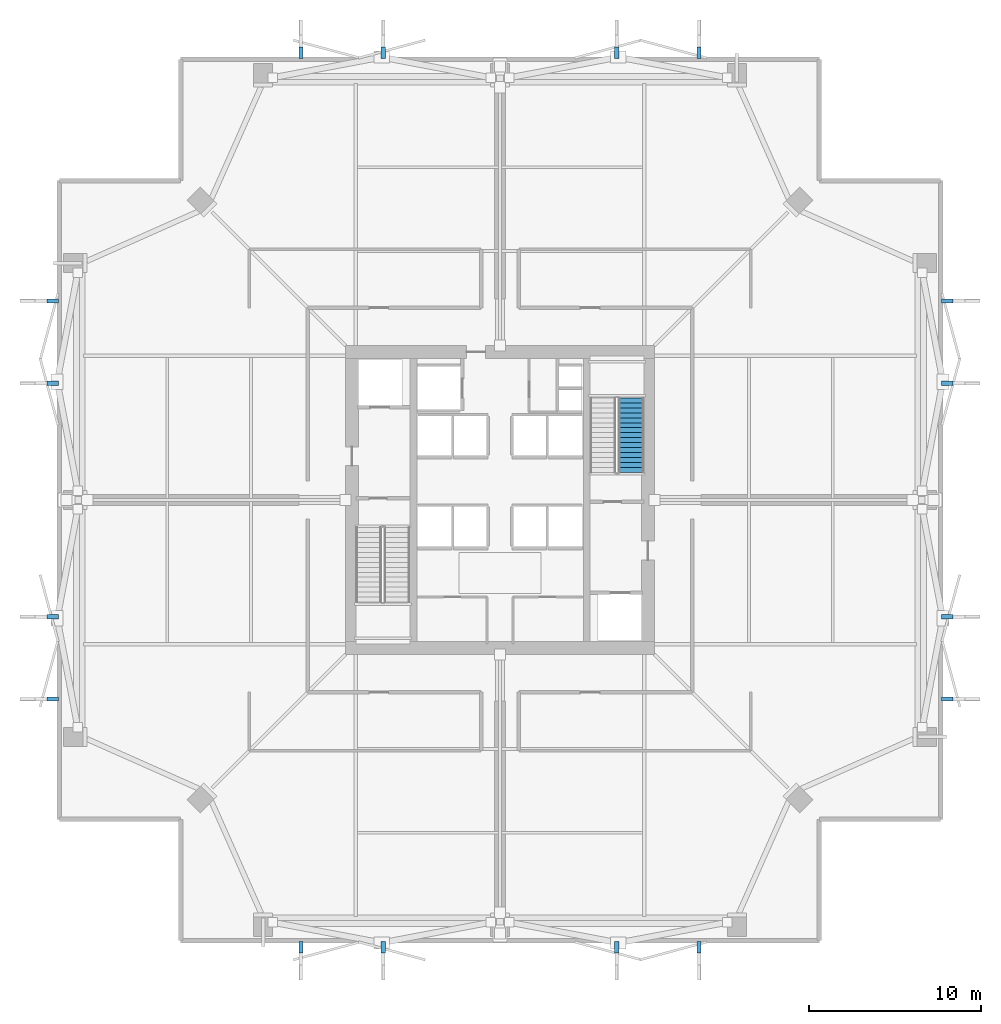
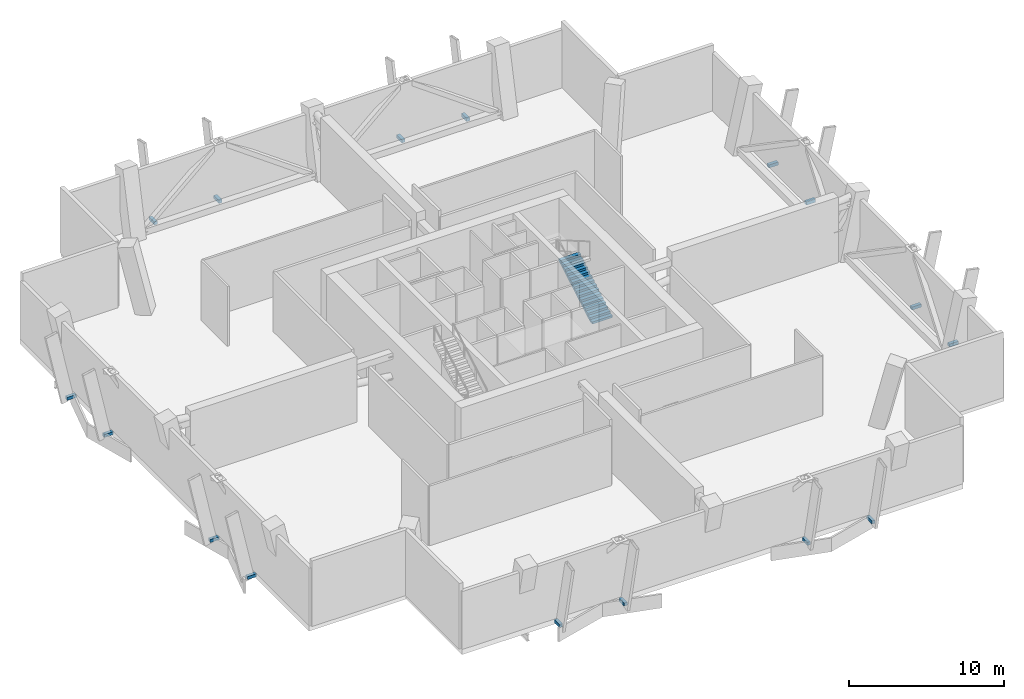
# One storey, part 5 of 6: 16 discrete accessories, 1 stair flight, 1 element without a shape of its own.
"""IFC4 building model written with IfcOpenShell, lengths in metres."""

from ifc_helpers import new_model, si_unit, direction, frame, origin, origin_2d, place, context, subcontext, project, spatial, polyline, rectangle, outline, extrude, material, layer, layer_set, type_object, element, aggregate, save


model = new_model("IFC4")

# Units and contexts
model_context = context("Model", 3, precision=1e-05, world=origin(), true_north=direction((0.0, 1.0)))
body_context = subcontext(model_context, "Body", "Model", "MODEL_VIEW")
ifc_project = project(units=[si_unit("LENGTHUNIT", "METRE"), si_unit("AREAUNIT", "SQUARE_METRE"), si_unit("VOLUMEUNIT", "CUBIC_METRE"), si_unit("PLANEANGLEUNIT", "RADIAN"), si_unit("MASSUNIT", "GRAM", prefix="KILO")], contexts=[model_context])

# Site, building, storey
site_placement = place(None, origin())
site = spatial("IfcSite", under=ifc_project, at=site_placement, CompositionType="ELEMENT")
building_placement = place(site_placement, origin())
building = spatial("IfcBuilding", under=site, at=building_placement, Name="Belovzor Exchange Tower", CompositionType="ELEMENT")
storey_placement = place(building_placement, frame((0.0, 0.0, 194.550048828125)))
storey = spatial("IfcBuildingStorey", under=building, at=storey_placement, Name="L48", CompositionType="ELEMENT", Elevation=194.550048828125)

# Stair, stair flight
ifc_material_1 = material(Name="Concrete C40/50", Category="concrete")
stair_type = type_object("IfcStairType", Name="Reinforced Concrete Dogleg Escape Stair 1350", PredefinedType="HALF_TURN_STAIR", material=ifc_material_1)
stair_placement = place(storey_placement, origin())
stair = element("IfcStair", 1, at=stair_placement, inside=storey, type_object=stair_type, Name="L48 ST-2", PredefinedType="HALF_TURN_STAIR")
ifc_material_2 = material(Name="Concrete C40/50", Category="concrete")
stair_flight_type = type_object("IfcStairFlightType", Name="Reinforced Concrete Stair Flight 1350", PredefinedType="STRAIGHT", material=ifc_material_2)
stair_flight_placement = place(storey_placement, frame((36.449951171875, 30.39990234375, 0.0), z_axis=(0.0, 0.0, 1.0), x_axis=(0.0, 1.0, 0.0)))
stair_flight = element("IfcStairFlight", 2, at=stair_flight_placement, type_object=stair_flight_type, Name="ST-2 flight 1", NumberOfRisers=16, NumberOfTreads=15, PredefinedType="STRAIGHT", RiserHeight=0.16875, TreadLength=0.29, context=body_context, shape_type="SweptSolid", body=[
    extrude(outline(polyline([(0.0, 0.0), (0.0, 0.168701171875), (0.2900390625, 0.168701171875), (0.2900390625, 0.33740234375), (0.580078125, 0.33740234375), (0.580078125, 0.50634765625), (0.8701171875, 0.50634765625), (0.8701171875, 0.675048828125), (1.159912109375, 0.675048828125), (1.159912109375, 0.84375), (1.449951171875, 0.84375), (1.449951171875, 1.012451171875), (1.739990234375, 1.012451171875), (1.739990234375, 1.18115234375), (2.030029296875, 1.18115234375), (2.030029296875, 1.35009765625), (2.320068359375, 1.35009765625), (2.320068359375, 1.518798828125), (2.610107421875, 1.518798828125), (2.610107421875, 1.6875), (2.89990234375, 1.6875), (2.89990234375, 1.856201171875), (3.18994140625, 1.856201171875), (3.18994140625, 2.02490234375), (3.47998046875, 2.02490234375), (3.47998046875, 2.19384765625), (3.77001953125, 2.19384765625), (3.77001953125, 2.362548828125), (4.06005859375, 2.362548828125), (4.06005859375, 2.53125), (4.35009765625, 2.53125), (4.35009765625, 2.699951171875), (4.35009765625, 2.35791015625), (0.298095703125, 0.0), (0.0, 0.0)])), frame((0.0, 0.75, 0.0), z_axis=(0.0, -1.0, 0.0), x_axis=(1.0, 0.0, 0.0)), (0.0, 0.0, 1.0), 1.5),
])
aggregate(stair, [stair_flight])

# Discrete accessories
ifc_material_3 = material(Name="Stainless Steel Grade 316", Category="steel")
ifc_layer = layer(ifc_material_3, 0.179931640625)
ifc_layer_set = layer_set([ifc_layer], Name="Stainless Steel Grade 316")
discrete_accessory_type = type_object("IfcDiscreteAccessoryType", Name="Stainless Steel Facade Outrigger Fixing Bracket", PredefinedType="BRACKET", material=ifc_layer_set)
for number, where, z_axis, x_axis, name in (
    (3, (17.199951171875, 2.737060546875, -0.31982421875), (0.0, 0.0, 1.0), (0.0, 1.0, 0.0), "BRK-FIN1 Sweeping Fin Outrigger Bracket L48 S1"),
    (4, (17.199951171875, 54.862060546875, -0.31982421875), (0.0, 0.0, 1.0), (0.0, 1.0, 0.0), "BRK-FIN1 Sweeping Fin Outrigger Bracket L48 N1"),
    (5, (2.737060546875, 17.199951171875, -0.31982421875), (0.0, 0.0, 1.0), (1.0, 0.0, 0.0), "BRK-FIN1 Sweeping Fin Outrigger Bracket L48 W1"),
    (6, (54.862060546875, 17.199951171875, -0.31982421875), (0.0, 0.0, 1.0), (1.0, 0.0, 0.0), "BRK-FIN1 Sweeping Fin Outrigger Bracket L48 E1"),
    (7, (22.0, 2.737060546875, -0.31982421875), (0.0, 0.0, 1.0), (0.0, 1.0, 0.0), "BRK-FIN1 Sweeping Fin Outrigger Bracket L48 S2"),
    (8, (22.0, 54.862060546875, -0.31982421875), (0.0, 0.0, 1.0), (0.0, 1.0, 0.0), "BRK-FIN1 Sweeping Fin Outrigger Bracket L48 N2"),
    (9, (2.737060546875, 22.0, -0.31982421875), (0.0, 0.0, 1.0), (1.0, 0.0, 0.0), "BRK-FIN1 Sweeping Fin Outrigger Bracket L48 W2"),
    (10, (54.862060546875, 22.0, -0.31982421875), (0.0, 0.0, 1.0), (1.0, 0.0, 0.0), "BRK-FIN1 Sweeping Fin Outrigger Bracket L48 E2"),
    (11, (35.60009765625, 2.737060546875, -0.31982421875), (0.0, 0.0, 1.0), (0.0, 1.0, 0.0), "BRK-FIN1 Sweeping Fin Outrigger Bracket L48 S3"),
    (12, (35.60009765625, 54.862060546875, -0.31982421875), (0.0, 0.0, 1.0), (0.0, 1.0, 0.0), "BRK-FIN1 Sweeping Fin Outrigger Bracket L48 N3"),
    (13, (2.737060546875, 35.60009765625, -0.31982421875), (0.0, 0.0, 1.0), (1.0, 0.0, 0.0), "BRK-FIN1 Sweeping Fin Outrigger Bracket L48 W3"),
    (14, (54.862060546875, 35.60009765625, -0.31982421875), (0.0, 0.0, 1.0), (1.0, 0.0, 0.0), "BRK-FIN1 Sweeping Fin Outrigger Bracket L48 E3"),
    (15, (40.39990234375, 2.737060546875, -0.31982421875), (0.0, 0.0, 1.0), (0.0, 1.0, 0.0), "BRK-FIN1 Sweeping Fin Outrigger Bracket L48 S4"),
    (16, (40.39990234375, 54.862060546875, -0.31982421875), (0.0, 0.0, 1.0), (0.0, 1.0, 0.0), "BRK-FIN1 Sweeping Fin Outrigger Bracket L48 N4"),
    (17, (2.737060546875, 40.39990234375, -0.31982421875), (0.0, 0.0, 1.0), (1.0, 0.0, 0.0), "BRK-FIN1 Sweeping Fin Outrigger Bracket L48 W4"),
    (18, (54.862060546875, 40.39990234375, -0.31982421875), (0.0, 0.0, 1.0), (1.0, 0.0, 0.0), "BRK-FIN1 Sweeping Fin Outrigger Bracket L48 E4"),
):
    element("IfcDiscreteAccessory", number, at=place(storey_placement, frame(where, z_axis=z_axis, x_axis=x_axis)), inside=storey, type_object=discrete_accessory_type, Name=name, PredefinedType="BRACKET", context=body_context, shape_type="SweptSolid", body=[
        extrude(rectangle(XDim=0.68505859375, YDim=0.239990234375, at=origin_2d()), origin(), (0.0, 0.0, 1.0), 0.239990234375),
    ])

save(model, "model.ifc")
